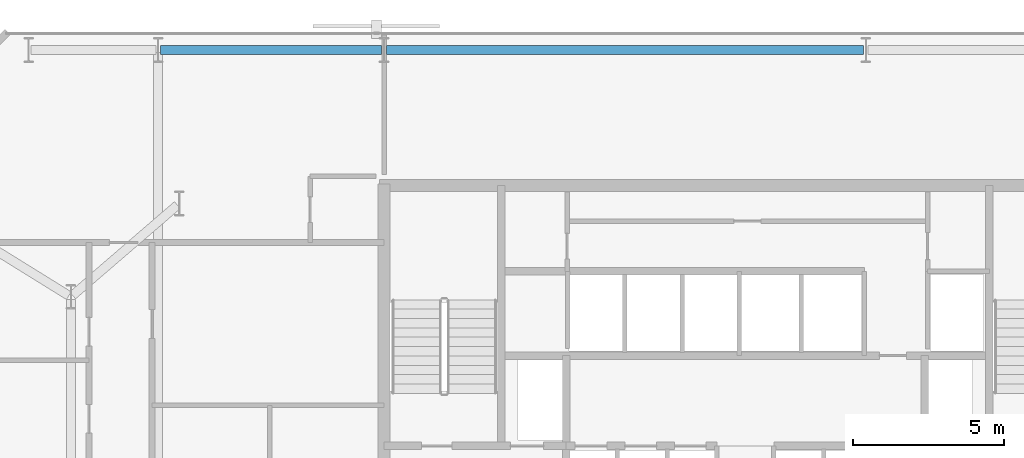
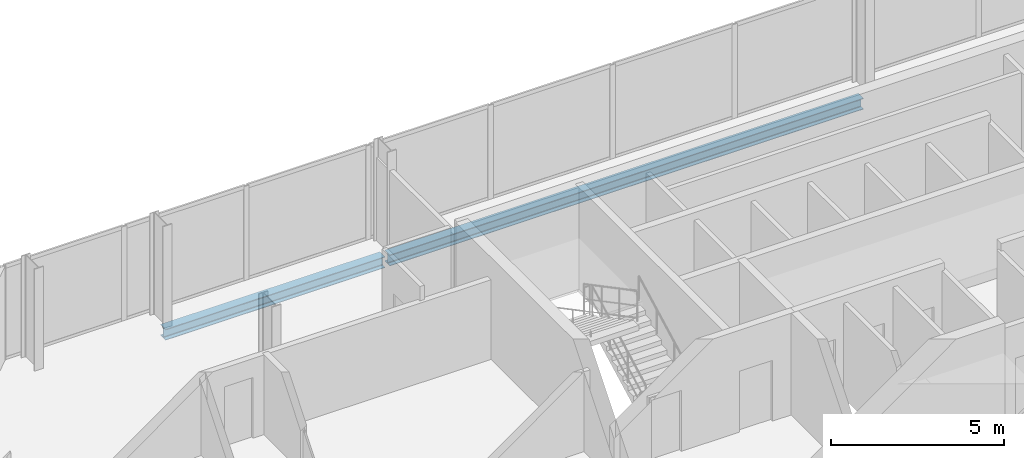
# One storey, part 21 of 33: 2 beams.
"""IFC4 building model written with IfcOpenShell, lengths in metres."""

from ifc_helpers import new_model, si_unit, direction, frame, origin, origin_2d, place, context, subcontext, project, spatial, i_section, extrude, material, material_profile, profile_set, type_object, element, save


model = new_model("IFC4")

# Units and contexts
model_context = context("Model", 3, precision=1e-05, world=origin(), true_north=direction((0.0, 1.0)))
body_context = subcontext(model_context, "Body", "Model", "MODEL_VIEW")
ifc_project = project(units=[si_unit("LENGTHUNIT", "METRE"), si_unit("AREAUNIT", "SQUARE_METRE"), si_unit("VOLUMEUNIT", "CUBIC_METRE"), si_unit("PLANEANGLEUNIT", "RADIAN"), si_unit("MASSUNIT", "GRAM", prefix="KILO")], contexts=[model_context])

# Site, building, storey
site_placement = place(None, origin())
site = spatial("IfcSite", under=ifc_project, at=site_placement, CompositionType="ELEMENT")
building_placement = place(site_placement, origin())
building = spatial("IfcBuilding", under=site, at=building_placement, Name="Catumbela Crestline Tower", CompositionType="ELEMENT")
storey_placement = place(building_placement, frame((0.0, 0.0, 58.2)))
storey = spatial("IfcBuildingStorey", under=building, at=storey_placement, Name="L14", CompositionType="ELEMENT", Elevation=58.2)

# Beams
ifc_material = material(Name="Structural steel S355J2", Category="steel")
ifc_material_profile = material_profile(ifc_material, i_section(OverallWidth=0.3, OverallDepth=0.39, WebThickness=0.011, FlangeThickness=0.019, FilletRadius=0.027, at=origin_2d()), Name="HEA 400")
ifc_profile_set = profile_set([ifc_material_profile], Name="Structural steel S355J2")
beam_type = type_object("IfcBeamType", Name="BS-HEA400", PredefinedType="SPANDREL", material=ifc_profile_set)
beam_1_placement = place(storey_placement, frame((8.58, 47.4, -0.455), z_axis=(1.0, 0.0, 0.0), x_axis=(0.0, 1.0, 0.0)))
element("IfcBeam", 1, at=beam_1_placement, inside=storey, type_object=beam_type, Name="L14 Spandrel SP-L14-NF20", PredefinedType="SPANDREL", context=body_context, shape_type="SweptSolid", body=[
    extrude(i_section(OverallWidth=0.3, OverallDepth=0.39, WebThickness=0.011, FlangeThickness=0.019, FilletRadius=0.027, at=origin_2d()), origin(), (0.0, 0.0, 1.0), 7.34),
])
beam_2_placement = place(storey_placement, frame((16.08, 47.4, -0.455), z_axis=(1.0, 0.0, 0.0), x_axis=(0.0, 1.0, 0.0)))
element("IfcBeam", 2, at=beam_2_placement, inside=storey, type_object=beam_type, Name="L14 Spandrel SP-L14-NF21", PredefinedType="SPANDREL", context=body_context, shape_type="SweptSolid", body=[
    extrude(i_section(OverallWidth=0.3, OverallDepth=0.39, WebThickness=0.011, FlangeThickness=0.019, FilletRadius=0.027, at=origin_2d()), origin(), (0.0, 0.0, 1.0), 15.84),
])

save(model, "model.ifc")
